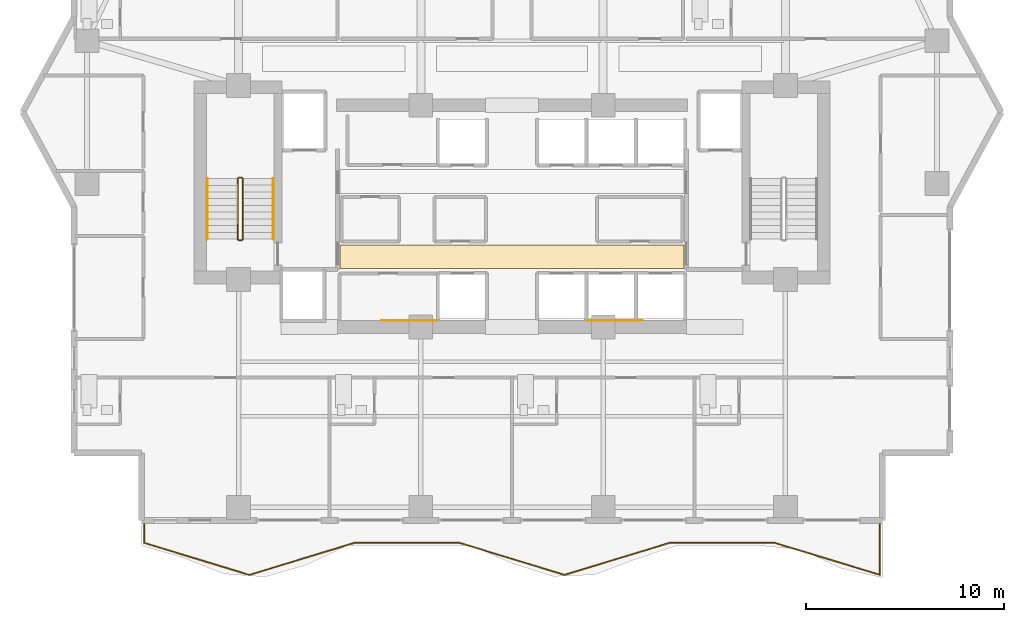
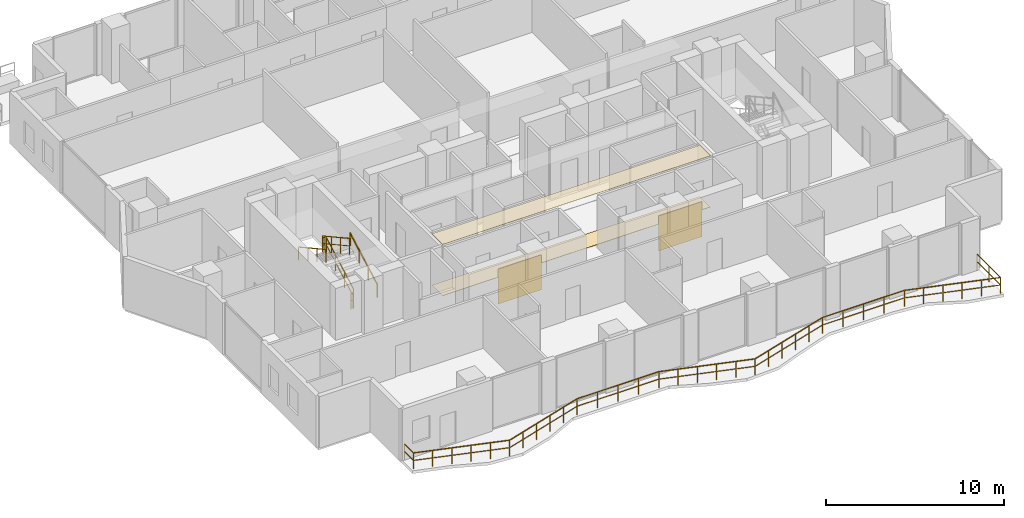
# One storey, part 29 of 32: 7 railings, 4 coverings.
"""IFC4 building model written with IfcOpenShell, lengths in metres."""

from ifc_helpers import new_model, si_unit, direction, frame, origin, origin_2d, place, context, subcontext, project, spatial, polyline, rectangle, outline, extrude, material, layer, layer_set, type_object, element, save


model = new_model("IFC4")

# Units and contexts
model_context = context("Model", 3, precision=1e-05, world=origin(), true_north=direction((0.0, 1.0)))
body_context = subcontext(model_context, "Body", "Model", "MODEL_VIEW")
ifc_project = project(units=[si_unit("LENGTHUNIT", "METRE"), si_unit("AREAUNIT", "SQUARE_METRE"), si_unit("VOLUMEUNIT", "CUBIC_METRE"), si_unit("PLANEANGLEUNIT", "RADIAN"), si_unit("MASSUNIT", "GRAM", prefix="KILO")], contexts=[model_context])

# Site, building, storey
site_placement = place(None, origin())
site = spatial("IfcSite", under=ifc_project, at=site_placement, CompositionType="ELEMENT")
building_placement = place(site_placement, origin())
building = spatial("IfcBuilding", under=site, at=building_placement, Name="Zuhayl Quay Hotel", CompositionType="ELEMENT")
storey_placement = place(building_placement, frame((0.0, 0.0, 226.14990234375)))
storey = spatial("IfcBuildingStorey", under=building, at=storey_placement, Name="L57", CompositionType="ELEMENT", Elevation=226.14990234375)

# Coverings
ifc_material_1 = material(Name="Acoustic Mineral-Fibre Gypsum Board")
ifc_layer_1 = layer(ifc_material_1, 0.02490234375, Name="Acoustic Mineral-Fibre Gypsum Board")
ifc_layer_set_1 = layer_set([ifc_layer_1], Name="Acoustic Mineral-Fibre Gypsum Board")
covering_type_1 = type_object("IfcCoveringType", Name="CV_CEIL_ACOUSTIC", PredefinedType="CEILING", material=ifc_layer_set_1)
covering_1_placement = place(storey_placement, frame((0.0, 0.0, 3.505126953125)))
element("IfcCovering", 1, at=covering_1_placement, inside=storey, type_object=covering_type_1, Name="L57 Suspended Acoustic Lobby Ceiling S", PredefinedType="CEILING", context=body_context, shape_type="SweptSolid", body=[
    extrude(outline(polyline([(-8.679931640625, 5.10009765625), (8.679931640625, 5.10009765625), (8.679931640625, 6.300048828125), (-8.679931640625, 6.300048828125), (-8.679931640625, 5.10009765625)])), origin(), (0.0, 0.0, 1.0), 0.02490234375),
])
ifc_material_2 = material(Name="Polished Limestone Terrazzo", Category="masonry")
ifc_layer_2 = layer(ifc_material_2, 0.02001953125, Name="Polished Limestone Terrazzo", Category="masonry")
ifc_layer_set_2 = layer_set([ifc_layer_2], Name="Polished Limestone Terrazzo")
covering_type_2 = type_object("IfcCoveringType", Name="CV_FLOOR_TERRAZZO", PredefinedType="FLOORING", material=ifc_layer_set_2)
covering_2_placement = place(storey_placement, origin())
element("IfcCovering", 2, at=covering_2_placement, inside=storey, type_object=covering_type_2, Name="L57 Honed Limestone Terrazzo Lobby Flooring S", PredefinedType="FLOORING", context=body_context, shape_type="SweptSolid", body=[
    extrude(outline(polyline([(-8.679931640625, 5.10009765625), (8.679931640625, 5.10009765625), (8.679931640625, 6.300048828125), (-8.679931640625, 6.300048828125), (-8.679931640625, 5.10009765625)])), origin(), (0.0, 0.0, 1.0), 0.02001953125),
])
ifc_material_3 = material(Name="Acoustic Walnut Feature Timber", Category="wood")
ifc_layer_3 = layer(ifc_material_3, 0.02197265625, Name="Acoustic Walnut Feature Timber", Category="wood")
ifc_layer_set_3 = layer_set([ifc_layer_3], Name="Acoustic Walnut Feature Timber")
covering_type_3 = type_object("IfcCoveringType", Name="CV_WALL_CLAD", PredefinedType="CLADDING", material=ifc_layer_set_3)
for number, where, z_axis, x_axis, name in (
    (3, (-5.199951171875, 2.486083984375, 0.300048828125), (0.0, 0.0, 1.0), (1.0, 0.0, 0.0), "L57 Feature Lobby Walnut Wall Cladding W"),
    (4, (5.199951171875, 2.486083984375, 0.300048828125), (0.0, 0.0, 1.0), (1.0, 0.0, 0.0), "L57 Feature Lobby Walnut Wall Cladding E"),
):
    element("IfcCovering", number, at=place(storey_placement, frame(where, z_axis=z_axis, x_axis=x_axis)), inside=storey, type_object=covering_type_3, Name=name, PredefinedType="CLADDING", context=body_context, shape_type="SweptSolid", body=[
        extrude(rectangle(XDim=2.800048828125, YDim=0.02197265625, at=origin_2d()), origin(), (0.0, 0.0, 1.0), 2.39990234375),
    ])

# Railings
ifc_material_4 = material(Name="Anodised Aluminium and Laminated Glass", Category="aluminium")
railing_type_1 = type_object("IfcRailingType", Name="RL_EXT_BAL_1100", PredefinedType="BALUSTRADE", material=ifc_material_4)
railing_1_placement = place(storey_placement, frame((-18.56005859375, -7.719970703125, 0.0)))
element("IfcRailing", 5, at=railing_1_placement, inside=storey, type_object=railing_type_1, Name="L57 Balcony and Terrace Guard GR_L57_BAL_S", PredefinedType="BALUSTRADE", context=body_context, shape_type="SweptSolid", body=[
    extrude(rectangle(XDim=0.048095703125, YDim=0.048095703125, at=origin_2d()), frame((0.0, 0.0, 1.09619140625), z_axis=(0.0, -1.0, 0.0), x_axis=(1.0, 0.0, 0.0)), (0.0, 0.0, 1.0), 1.02001953125),
    extrude(rectangle(XDim=0.0361328125, YDim=0.0361328125, at=origin_2d()), frame((0.0, 0.0, 0.58251953125), z_axis=(0.0, -1.0, 0.0), x_axis=(1.0, 0.0, 0.0)), (0.0, 0.0, 1.0), 1.02001953125),
    extrude(rectangle(XDim=0.048095703125, YDim=0.048095703125, at=origin_2d()), frame((0.0, -1.02001953125, 1.09619140625), z_axis=(0.956486495439, -0.291776599548, 0.0), x_axis=(0.291776599548, 0.956486495439, 0.0)), (0.0, 0.0, 1.0), 5.544189453125),
    extrude(rectangle(XDim=0.0361328125, YDim=0.0361328125, at=origin_2d()), frame((0.0, -1.02001953125, 0.58251953125), z_axis=(0.956486495439, -0.291776599548, 0.0), x_axis=(0.291776599548, 0.956486495439, 0.0)), (0.0, 0.0, 1.0), 5.544189453125),
    extrude(rectangle(XDim=0.048095703125, YDim=0.048095703125, at=origin_2d()), frame((5.302978515625, -2.6376953125, 1.09619140625), z_axis=(0.956482746335, 0.291788889375, 0.0), x_axis=(-0.291788889375, 0.956482746335, 0.0)), (0.0, 0.0, 1.0), 5.5439453125),
    extrude(rectangle(XDim=0.0361328125, YDim=0.0361328125, at=origin_2d()), frame((5.302978515625, -2.6376953125, 0.58251953125), z_axis=(0.956482746335, 0.291788889375, 0.0), x_axis=(-0.291788889375, 0.956482746335, 0.0)), (0.0, 0.0, 1.0), 5.5439453125),
    extrude(rectangle(XDim=0.048095703125, YDim=0.048095703125, at=origin_2d()), frame((10.605712890625, -1.02001953125, 1.09619140625), z_axis=(1.0, 0.0, 0.0), x_axis=(0.0, 1.0, 0.0)), (0.0, 0.0, 1.0), 5.302978515625),
    extrude(rectangle(XDim=0.0361328125, YDim=0.0361328125, at=origin_2d()), frame((10.605712890625, -1.02001953125, 0.58251953125), z_axis=(1.0, 0.0, 0.0), x_axis=(0.0, 1.0, 0.0)), (0.0, 0.0, 1.0), 5.302978515625),
    extrude(rectangle(XDim=0.048095703125, YDim=0.048095703125, at=origin_2d()), frame((15.90869140625, -1.02001953125, 1.09619140625), z_axis=(0.956666945668, -0.291184400452, 0.0), x_axis=(0.291184400452, 0.956666945668, 0.0)), (0.0, 0.0, 1.0), 5.54296875),
    extrude(rectangle(XDim=0.0361328125, YDim=0.0361328125, at=origin_2d()), frame((15.90869140625, -1.02001953125, 0.58251953125), z_axis=(0.956666945668, -0.291184400452, 0.0), x_axis=(0.291184400452, 0.956666945668, 0.0)), (0.0, 0.0, 1.0), 5.54296875),
    extrude(rectangle(XDim=0.048095703125, YDim=0.048095703125, at=origin_2d()), frame((21.21142578125, -2.634033203125, 1.09619140625), z_axis=(0.956670679972, 0.291172131361, 0.0), x_axis=(-0.291172131361, 0.956670679972, 0.0)), (0.0, 0.0, 1.0), 5.543212890625),
    extrude(rectangle(XDim=0.0361328125, YDim=0.0361328125, at=origin_2d()), frame((21.21142578125, -2.634033203125, 0.58251953125), z_axis=(0.956670679972, 0.291172131361, 0.0), x_axis=(-0.291172131361, 0.956670679972, 0.0)), (0.0, 0.0, 1.0), 5.543212890625),
    extrude(rectangle(XDim=0.048095703125, YDim=0.048095703125, at=origin_2d()), frame((26.514404296875, -1.02001953125, 1.09619140625), z_axis=(1.0, 0.0, 0.0), x_axis=(0.0, 1.0, 0.0)), (0.0, 0.0, 1.0), 5.302734375),
    extrude(rectangle(XDim=0.0361328125, YDim=0.0361328125, at=origin_2d()), frame((26.514404296875, -1.02001953125, 0.58251953125), z_axis=(1.0, 0.0, 0.0), x_axis=(0.0, 1.0, 0.0)), (0.0, 0.0, 1.0), 5.302734375),
    extrude(rectangle(XDim=0.048095703125, YDim=0.048095703125, at=origin_2d()), frame((31.817138671875, -1.02001953125, 1.09619140625), z_axis=(0.956928015112, -0.290325289793, 0.0), x_axis=(0.290325289793, 0.956928015112, 0.0)), (0.0, 0.0, 1.0), 5.541748046875),
    extrude(rectangle(XDim=0.0361328125, YDim=0.0361328125, at=origin_2d()), frame((31.817138671875, -1.02001953125, 0.58251953125), z_axis=(0.956928015112, -0.290325289793, 0.0), x_axis=(0.290325289793, 0.956928015112, 0.0)), (0.0, 0.0, 1.0), 5.541748046875),
    extrude(rectangle(XDim=0.048095703125, YDim=0.048095703125, at=origin_2d()), frame((37.1201171875, -2.62890625, 1.09619140625), z_axis=(0.0, 1.0, 0.0), x_axis=(-1.0, 0.0, 0.0)), (0.0, 0.0, 1.0), 2.62890625),
    extrude(rectangle(XDim=0.0361328125, YDim=0.0361328125, at=origin_2d()), frame((37.1201171875, -2.62890625, 0.58251953125), z_axis=(0.0, 1.0, 0.0), x_axis=(-1.0, 0.0, 0.0)), (0.0, 0.0, 1.0), 2.62890625),
    extrude(rectangle(XDim=0.0419921875, YDim=0.0419921875, at=origin_2d()), origin(), (0.0, 0.0, 1.0), 1.072021484375),
    extrude(rectangle(XDim=0.0419921875, YDim=0.0419921875, at=origin_2d()), frame((0.0, -1.02001953125, 0.0)), (0.0, 0.0, 1.0), 1.072021484375),
    extrude(rectangle(XDim=0.0419921875, YDim=0.0419921875, at=origin_2d()), frame((1.060546875, -1.343505859375, 0.0)), (0.0, 0.0, 1.0), 1.072021484375),
    extrude(rectangle(XDim=0.0419921875, YDim=0.0419921875, at=origin_2d()), frame((2.12109375, -1.6669921875, 0.0)), (0.0, 0.0, 1.0), 1.072021484375),
    extrude(rectangle(XDim=0.0419921875, YDim=0.0419921875, at=origin_2d()), frame((3.181884765625, -1.99072265625, 0.0)), (0.0, 0.0, 1.0), 1.072021484375),
    extrude(rectangle(XDim=0.0419921875, YDim=0.0419921875, at=origin_2d()), frame((4.242431640625, -2.314208984375, 0.0)), (0.0, 0.0, 1.0), 1.072021484375),
    extrude(rectangle(XDim=0.0419921875, YDim=0.0419921875, at=origin_2d()), frame((5.302978515625, -2.6376953125, 0.0)), (0.0, 0.0, 1.0), 1.072021484375),
    extrude(rectangle(XDim=0.0419921875, YDim=0.0419921875, at=origin_2d()), frame((6.363525390625, -2.314208984375, 0.0)), (0.0, 0.0, 1.0), 1.072021484375),
    extrude(rectangle(XDim=0.0419921875, YDim=0.0419921875, at=origin_2d()), frame((7.424072265625, -1.99072265625, 0.0)), (0.0, 0.0, 1.0), 1.072021484375),
    extrude(rectangle(XDim=0.0419921875, YDim=0.0419921875, at=origin_2d()), frame((8.484619140625, -1.6669921875, 0.0)), (0.0, 0.0, 1.0), 1.072021484375),
    extrude(rectangle(XDim=0.0419921875, YDim=0.0419921875, at=origin_2d()), frame((9.545166015625, -1.343505859375, 0.0)), (0.0, 0.0, 1.0), 1.072021484375),
    extrude(rectangle(XDim=0.0419921875, YDim=0.0419921875, at=origin_2d()), frame((10.605712890625, -1.02001953125, 0.0)), (0.0, 0.0, 1.0), 1.072021484375),
    extrude(rectangle(XDim=0.0419921875, YDim=0.0419921875, at=origin_2d()), frame((11.931396484375, -1.02001953125, 0.0)), (0.0, 0.0, 1.0), 1.072021484375),
    extrude(rectangle(XDim=0.0419921875, YDim=0.0419921875, at=origin_2d()), frame((13.25732421875, -1.02001953125, 0.0)), (0.0, 0.0, 1.0), 1.072021484375),
    extrude(rectangle(XDim=0.0419921875, YDim=0.0419921875, at=origin_2d()), frame((14.5830078125, -1.02001953125, 0.0)), (0.0, 0.0, 1.0), 1.072021484375),
    extrude(rectangle(XDim=0.0419921875, YDim=0.0419921875, at=origin_2d()), frame((15.90869140625, -1.02001953125, 0.0)), (0.0, 0.0, 1.0), 1.072021484375),
    extrude(rectangle(XDim=0.0419921875, YDim=0.0419921875, at=origin_2d()), frame((16.96923828125, -1.3427734375, 0.0)), (0.0, 0.0, 1.0), 1.072021484375),
    extrude(rectangle(XDim=0.0419921875, YDim=0.0419921875, at=origin_2d()), frame((18.02978515625, -1.66552734375, 0.0)), (0.0, 0.0, 1.0), 1.072021484375),
    extrude(rectangle(XDim=0.0419921875, YDim=0.0419921875, at=origin_2d()), frame((19.09033203125, -1.988525390625, 0.0)), (0.0, 0.0, 1.0), 1.072021484375),
    extrude(rectangle(XDim=0.0419921875, YDim=0.0419921875, at=origin_2d()), frame((20.15087890625, -2.311279296875, 0.0)), (0.0, 0.0, 1.0), 1.072021484375),
    extrude(rectangle(XDim=0.0419921875, YDim=0.0419921875, at=origin_2d()), frame((21.21142578125, -2.634033203125, 0.0)), (0.0, 0.0, 1.0), 1.072021484375),
    extrude(rectangle(XDim=0.0419921875, YDim=0.0419921875, at=origin_2d()), frame((22.27197265625, -2.311279296875, 0.0)), (0.0, 0.0, 1.0), 1.072021484375),
    extrude(rectangle(XDim=0.0419921875, YDim=0.0419921875, at=origin_2d()), frame((23.33251953125, -1.988525390625, 0.0)), (0.0, 0.0, 1.0), 1.072021484375),
    extrude(rectangle(XDim=0.0419921875, YDim=0.0419921875, at=origin_2d()), frame((24.393310546875, -1.66552734375, 0.0)), (0.0, 0.0, 1.0), 1.072021484375),
    extrude(rectangle(XDim=0.0419921875, YDim=0.0419921875, at=origin_2d()), frame((25.453857421875, -1.3427734375, 0.0)), (0.0, 0.0, 1.0), 1.072021484375),
    extrude(rectangle(XDim=0.0419921875, YDim=0.0419921875, at=origin_2d()), frame((26.514404296875, -1.02001953125, 0.0)), (0.0, 0.0, 1.0), 1.072021484375),
    extrude(rectangle(XDim=0.0419921875, YDim=0.0419921875, at=origin_2d()), frame((27.840087890625, -1.02001953125, 0.0)), (0.0, 0.0, 1.0), 1.072021484375),
    extrude(rectangle(XDim=0.0419921875, YDim=0.0419921875, at=origin_2d()), frame((29.165771484375, -1.02001953125, 0.0)), (0.0, 0.0, 1.0), 1.072021484375),
    extrude(rectangle(XDim=0.0419921875, YDim=0.0419921875, at=origin_2d()), frame((30.491455078125, -1.02001953125, 0.0)), (0.0, 0.0, 1.0), 1.072021484375),
    extrude(rectangle(XDim=0.0419921875, YDim=0.0419921875, at=origin_2d()), frame((31.817138671875, -1.02001953125, 0.0)), (0.0, 0.0, 1.0), 1.072021484375),
    extrude(rectangle(XDim=0.0419921875, YDim=0.0419921875, at=origin_2d()), frame((32.877685546875, -1.341796875, 0.0)), (0.0, 0.0, 1.0), 1.072021484375),
    extrude(rectangle(XDim=0.0419921875, YDim=0.0419921875, at=origin_2d()), frame((33.938232421875, -1.66357421875, 0.0)), (0.0, 0.0, 1.0), 1.072021484375),
    extrude(rectangle(XDim=0.0419921875, YDim=0.0419921875, at=origin_2d()), frame((34.9990234375, -1.9853515625, 0.0)), (0.0, 0.0, 1.0), 1.072021484375),
    extrude(rectangle(XDim=0.0419921875, YDim=0.0419921875, at=origin_2d()), frame((36.0595703125, -2.30712890625, 0.0)), (0.0, 0.0, 1.0), 1.072021484375),
    extrude(rectangle(XDim=0.0419921875, YDim=0.0419921875, at=origin_2d()), frame((37.1201171875, -2.62890625, 0.0)), (0.0, 0.0, 1.0), 1.072021484375),
    extrude(rectangle(XDim=0.0419921875, YDim=0.0419921875, at=origin_2d()), frame((37.1201171875, -1.314453125, 0.0)), (0.0, 0.0, 1.0), 1.072021484375),
    extrude(rectangle(XDim=0.0419921875, YDim=0.0419921875, at=origin_2d()), frame((37.1201171875, 0.0, 0.0)), (0.0, 0.0, 1.0), 1.072021484375),
])
ifc_material_5 = material(Name="Steel ASTM A992 Grade 50", Category="steel")
railing_type_2 = type_object("IfcRailingType", Name="RL_GUARD_1100", PredefinedType="GUARDRAIL", material=ifc_material_5)
railing_2_placement = place(storey_placement, frame((-13.590087890625, 6.590087890625, 0.1875)))
element("IfcRailing", 6, at=railing_2_placement, inside=storey, type_object=railing_type_2, Name="L57 ST1 stair guard 1", PredefinedType="GUARDRAIL", context=body_context, shape_type="SweptSolid", body=[
    extrude(rectangle(XDim=0.048095703125, YDim=0.048095703125, at=origin_2d()), frame((0.0, 0.0, 1.09619140625), z_axis=(0.0, 0.875659195171, 0.482929574485), x_axis=(-1.0, 0.0, 0.0)), (0.0, 0.0, 1.0), 3.494384765625),
    extrude(rectangle(XDim=0.0361328125, YDim=0.0361328125, at=origin_2d()), frame((0.0, 0.0, 0.58251953125), z_axis=(0.0, 0.875659195171, 0.482929574485), x_axis=(-1.0, 0.0, 0.0)), (0.0, 0.0, 1.0), 3.494384765625),
    extrude(rectangle(XDim=0.0419921875, YDim=0.0419921875, at=origin_2d()), origin(), (0.0, 0.0, 1.0), 1.072021484375),
    extrude(rectangle(XDim=0.0419921875, YDim=0.0419921875, at=origin_2d()), frame((0.0, 1.02001953125, 0.5625)), (0.0, 0.0, 1.0), 1.072021484375),
    extrude(rectangle(XDim=0.0419921875, YDim=0.0419921875, at=origin_2d()), frame((0.0, 2.039794921875, 1.125)), (0.0, 0.0, 1.0), 1.072021484375),
    extrude(rectangle(XDim=0.0419921875, YDim=0.0419921875, at=origin_2d()), frame((0.0, 3.059814453125, 1.6875)), (0.0, 0.0, 1.0), 1.072021484375),
])
railing_3_placement = place(storey_placement, frame((-13.639892578125, 9.699951171875, 1.875)))
element("IfcRailing", 7, at=railing_3_placement, inside=storey, type_object=railing_type_2, Name="L57 ST1 stair guard 2", PredefinedType="GUARDRAIL", context=body_context, shape_type="SweptSolid", body=[
    extrude(rectangle(XDim=0.048095703125, YDim=0.048095703125, at=origin_2d()), frame((0.0, 0.0, 1.09619140625), z_axis=(-1.0, 0.0, 0.0), x_axis=(0.0, -1.0, 0.0)), (0.0, 0.0, 1.0), 0.150146484375),
    extrude(rectangle(XDim=0.0361328125, YDim=0.0361328125, at=origin_2d()), frame((0.0, 0.0, 0.58251953125), z_axis=(-1.0, 0.0, 0.0), x_axis=(0.0, -1.0, 0.0)), (0.0, 0.0, 1.0), 0.150146484375),
    extrude(rectangle(XDim=0.0419921875, YDim=0.0419921875, at=origin_2d()), origin(), (0.0, 0.0, 1.0), 1.072021484375),
    extrude(rectangle(XDim=0.0419921875, YDim=0.0419921875, at=origin_2d()), frame((-0.150146484375, 0.0, 0.0)), (0.0, 0.0, 1.0), 1.072021484375),
])
railing_4_placement = place(storey_placement, frame((-13.840087890625, 9.64990234375, 2.0625)))
element("IfcRailing", 8, at=railing_4_placement, inside=storey, type_object=railing_type_2, Name="L57 ST1 stair guard 3", PredefinedType="GUARDRAIL", context=body_context, shape_type="SweptSolid", body=[
    extrude(rectangle(XDim=0.048095703125, YDim=0.048095703125, at=origin_2d()), frame((0.0, 0.0, 1.09619140625), z_axis=(0.0, -0.875659195171, 0.482929574485), x_axis=(1.0, 0.0, 0.0)), (0.0, 0.0, 1.0), 3.494384765625),
    extrude(rectangle(XDim=0.0361328125, YDim=0.0361328125, at=origin_2d()), frame((0.0, 0.0, 0.58251953125), z_axis=(0.0, -0.875659195171, 0.482929574485), x_axis=(1.0, 0.0, 0.0)), (0.0, 0.0, 1.0), 3.494384765625),
    extrude(rectangle(XDim=0.0419921875, YDim=0.0419921875, at=origin_2d()), origin(), (0.0, 0.0, 1.0), 1.072021484375),
    extrude(rectangle(XDim=0.0419921875, YDim=0.0419921875, at=origin_2d()), frame((0.0, -1.02001953125, 0.5625)), (0.0, 0.0, 1.0), 1.072021484375),
    extrude(rectangle(XDim=0.0419921875, YDim=0.0419921875, at=origin_2d()), frame((0.0, -2.039794921875, 1.125)), (0.0, 0.0, 1.0), 1.072021484375),
    extrude(rectangle(XDim=0.0419921875, YDim=0.0419921875, at=origin_2d()), frame((0.0, -3.059814453125, 1.6875)), (0.0, 0.0, 1.0), 1.072021484375),
])
railing_5_placement = place(storey_placement, frame((-13.639892578125, 6.5400390625, 0.0)))
element("IfcRailing", 9, at=railing_5_placement, inside=storey, type_object=railing_type_2, Name="L57 ST1 stair guard 4", PredefinedType="GUARDRAIL", context=body_context, shape_type="SweptSolid", body=[
    extrude(rectangle(XDim=0.048095703125, YDim=0.048095703125, at=origin_2d()), frame((0.0, 0.0, 1.09619140625), z_axis=(-1.0, 0.0, 0.0), x_axis=(0.0, -1.0, 0.0)), (0.0, 0.0, 1.0), 0.150146484375),
    extrude(rectangle(XDim=0.0361328125, YDim=0.0361328125, at=origin_2d()), frame((0.0, 0.0, 0.58251953125), z_axis=(-1.0, 0.0, 0.0), x_axis=(0.0, -1.0, 0.0)), (0.0, 0.0, 1.0), 0.150146484375),
    extrude(rectangle(XDim=0.0419921875, YDim=0.0419921875, at=origin_2d()), origin(), (0.0, 0.0, 1.0), 1.072021484375),
    extrude(rectangle(XDim=0.0419921875, YDim=0.0419921875, at=origin_2d()), frame((-0.150146484375, 0.0, 0.0)), (0.0, 0.0, 1.0), 1.072021484375),
])
railing_type_3 = type_object("IfcRailingType", Name="RL_HANDRAIL_920", PredefinedType="HANDRAIL", material=ifc_material_5)
railing_6_placement = place(storey_placement, frame((-12.050048828125, 6.590087890625, 0.1875)))
element("IfcRailing", 10, at=railing_6_placement, inside=storey, type_object=railing_type_3, Name="L57 ST1 stair handrail 1", PredefinedType="HANDRAIL", context=body_context, shape_type="SweptSolid", body=[
    extrude(rectangle(XDim=0.048095703125, YDim=0.048095703125, at=origin_2d()), frame((0.0, 0.0, 0.8759765625), z_axis=(0.0, 0.875659195171, 0.482929574485), x_axis=(-1.0, 0.0, 0.0)), (0.0, 0.0, 1.0), 3.494384765625),
    extrude(rectangle(XDim=0.0419921875, YDim=0.0419921875, at=origin_2d()), origin(), (0.0, 0.0, 1.0), 0.851806640625),
    extrude(rectangle(XDim=0.0419921875, YDim=0.0419921875, at=origin_2d()), frame((0.0, 1.02001953125, 0.5625)), (0.0, 0.0, 1.0), 0.851806640625),
    extrude(rectangle(XDim=0.0419921875, YDim=0.0419921875, at=origin_2d()), frame((0.0, 2.039794921875, 1.125)), (0.0, 0.0, 1.0), 0.851806640625),
    extrude(rectangle(XDim=0.0419921875, YDim=0.0419921875, at=origin_2d()), frame((0.0, 3.059814453125, 1.6875)), (0.0, 0.0, 1.0), 0.851806640625),
])
railing_7_placement = place(storey_placement, frame((-15.3798828125, 9.64990234375, 2.0625)))
element("IfcRailing", 11, at=railing_7_placement, inside=storey, type_object=railing_type_3, Name="L57 ST1 stair handrail 2", PredefinedType="HANDRAIL", context=body_context, shape_type="SweptSolid", body=[
    extrude(rectangle(XDim=0.048095703125, YDim=0.048095703125, at=origin_2d()), frame((0.0, 0.0, 0.8759765625), z_axis=(0.0, -0.875659195171, 0.482929574485), x_axis=(1.0, 0.0, 0.0)), (0.0, 0.0, 1.0), 3.494384765625),
    extrude(rectangle(XDim=0.0419921875, YDim=0.0419921875, at=origin_2d()), origin(), (0.0, 0.0, 1.0), 0.851806640625),
    extrude(rectangle(XDim=0.0419921875, YDim=0.0419921875, at=origin_2d()), frame((0.0, -1.02001953125, 0.5625)), (0.0, 0.0, 1.0), 0.851806640625),
    extrude(rectangle(XDim=0.0419921875, YDim=0.0419921875, at=origin_2d()), frame((0.0, -2.039794921875, 1.125)), (0.0, 0.0, 1.0), 0.851806640625),
    extrude(rectangle(XDim=0.0419921875, YDim=0.0419921875, at=origin_2d()), frame((0.0, -3.059814453125, 1.6875)), (0.0, 0.0, 1.0), 0.851806640625),
])

save(model, "model.ifc")
